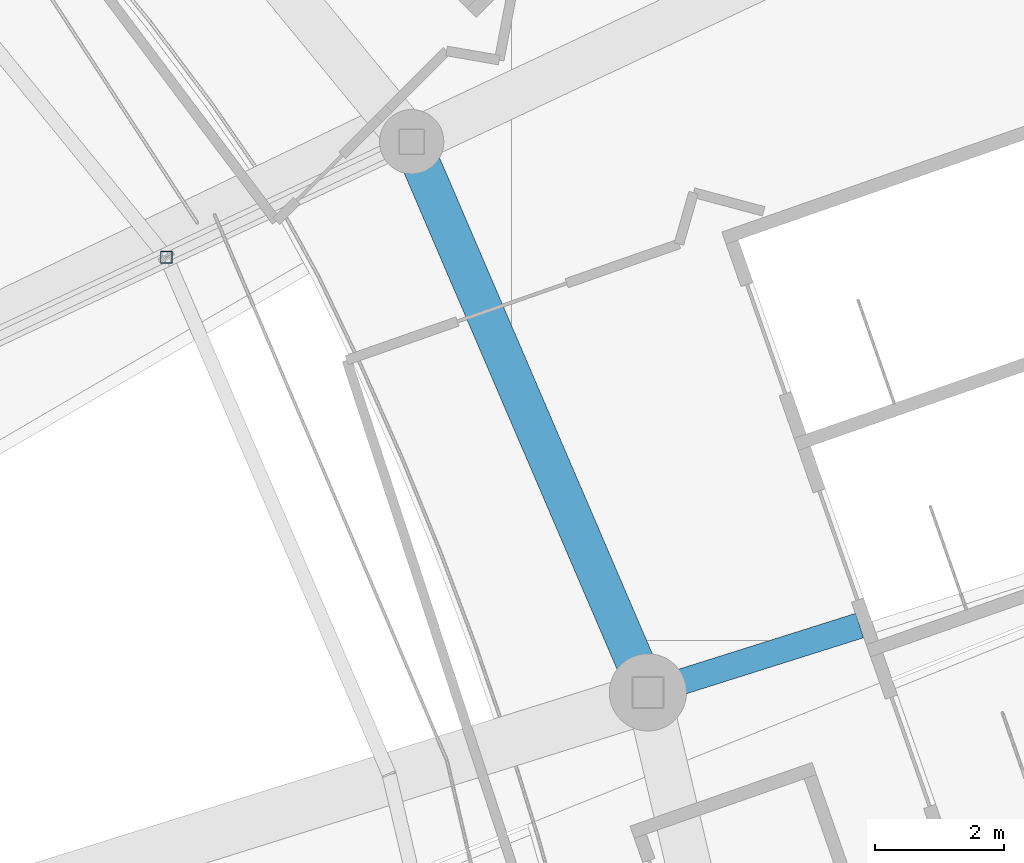
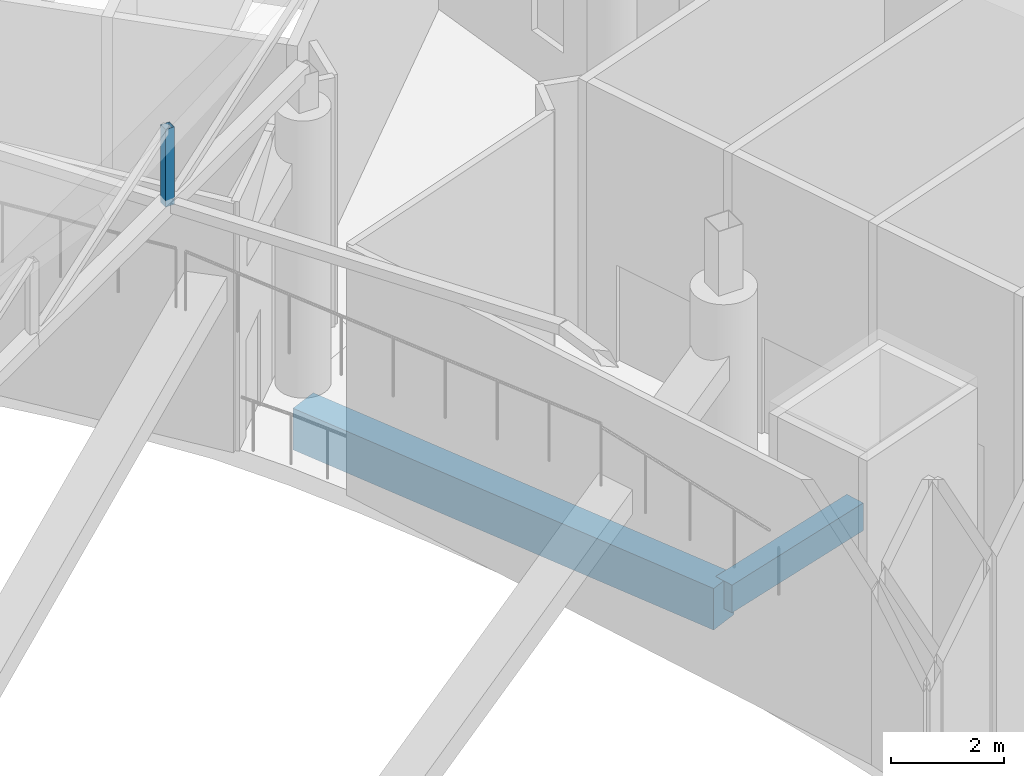
# One storey, part 194 of 344: 2 beams, 1 member.
"""IFC4 building model written with IfcOpenShell, lengths in metres."""

from ifc_helpers import new_model, si_unit, direction, frame, origin, origin_2d, place, context, subcontext, project, spatial, rectangle, hollow_rectangle, extrude, material, material_profile, profile_set, type_object, element, save


model = new_model("IFC4")

# Units and contexts
model_context = context("Model", 3, precision=1e-05, world=origin(), true_north=direction((0.0, 1.0)))
body_context = subcontext(model_context, "Body", "Model", "MODEL_VIEW")
ifc_project = project(units=[si_unit("LENGTHUNIT", "METRE"), si_unit("AREAUNIT", "SQUARE_METRE"), si_unit("VOLUMEUNIT", "CUBIC_METRE"), si_unit("PLANEANGLEUNIT", "RADIAN"), si_unit("MASSUNIT", "GRAM", prefix="KILO")], contexts=[model_context])

# Site, building, storey
site_placement = place(None, origin())
site = spatial("IfcSite", under=ifc_project, at=site_placement, CompositionType="ELEMENT")
building_placement = place(site_placement, origin())
building = spatial("IfcBuilding", under=site, at=building_placement, Name="Meseta Stadium", CompositionType="ELEMENT")
storey_placement = place(building_placement, frame((0.0, 0.0, 24.0)))
storey = spatial("IfcBuildingStorey", under=building, at=storey_placement, Name="L04", CompositionType="ELEMENT", Elevation=24.0)

# Beams
ifc_material_1 = material(Name="Concrete C40/50", Category="concrete")
ifc_material_profile_1 = material_profile(ifc_material_1, rectangle(XDim=0.39990234375, YDim=0.60009765625, at=origin_2d()), Name="RC 400x600")
ifc_profile_set_1 = profile_set([ifc_material_profile_1], Name="Concrete C40/50")
beam_type_1 = type_object("IfcBeamType", Name="RC beam 400x600", PredefinedType="BEAM", material=ifc_profile_set_1)
beam_1_placement = place(storey_placement, frame((82.119873046875, 63.191162109375, -0.699951171875), z_axis=(0.953578389502, 0.301144907105, 0.0), x_axis=(-0.301144907105, 0.953578389502, 0.0)))
element("IfcBeam", 1, at=beam_1_placement, inside=storey, type_object=beam_type_1, Name="L04 radial beam frame 10 line P to R", PredefinedType="BEAM", context=body_context, shape_type="SweptSolid", body=[
    extrude(rectangle(XDim=0.39990234375, YDim=0.60009765625, at=origin_2d()), origin(), (0.0, 0.0, 1.0), 3.451904296875),
])
ifc_material_2 = material(Name="Concrete C40/50", Category="concrete")
ifc_material_profile_2 = material_profile(ifc_material_2, rectangle(XDim=0.60009765625, YDim=0.89990234375, at=origin_2d()), Name="RC 600x900")
ifc_profile_set_2 = profile_set([ifc_material_profile_2], Name="Concrete C40/50")
beam_type_2 = type_object("IfcBeamType", Name="RC beam 600x900", PredefinedType="BEAM", material=ifc_profile_set_2)
beam_2_placement = place(storey_placement, frame((82.119873046875, 63.191162109375, -0.85009765625), z_axis=(-0.394270200779, 0.918994564063, 0.0), x_axis=(-0.918994564063, -0.394270200779, 0.0)))
element("IfcBeam", 2, at=beam_2_placement, inside=storey, type_object=beam_type_2, Name="L04 ring beam frame 10 line P", PredefinedType="BEAM", context=body_context, shape_type="SweptSolid", body=[
    extrude(rectangle(XDim=0.60009765625, YDim=0.89990234375, at=origin_2d()), origin(), (0.0, 0.0, 1.0), 9.31982421875),
])

# Member
ifc_material_3 = material(Name="Steel S355", Category="steel")
ifc_material_profile_3 = material_profile(ifc_material_3, hollow_rectangle(XDim=0.179931640625, YDim=0.179931640625, WallThickness=0.00634765625, at=origin_2d()), Name="SHS 180x180x6.3")
ifc_profile_set_3 = profile_set([ifc_material_profile_3], Name="Steel S355")
member_type = type_object("IfcMemberType", Name="SHS 180x180x6.3 post", PredefinedType="POST", material=ifc_profile_set_3)
member_placement = place(storey_placement, frame((74.630126953125, 69.958740234375, 6.298583984375), z_axis=(0.0, 0.0, 1.0), x_axis=(1.0, 0.0, 0.0)))
element("IfcMember", 3, at=member_placement, inside=storey, type_object=member_type, Name="ROOF TRUSS RT-11 post", PredefinedType="POST", context=body_context, shape_type="SweptSolid", body=[
    extrude(hollow_rectangle(XDim=0.179931640625, YDim=0.179931640625, WallThickness=0.00634765625, at=origin_2d()), origin(), (0.0, 0.0, 1.0), 1.679443359375),
])

save(model, "model.ifc")
